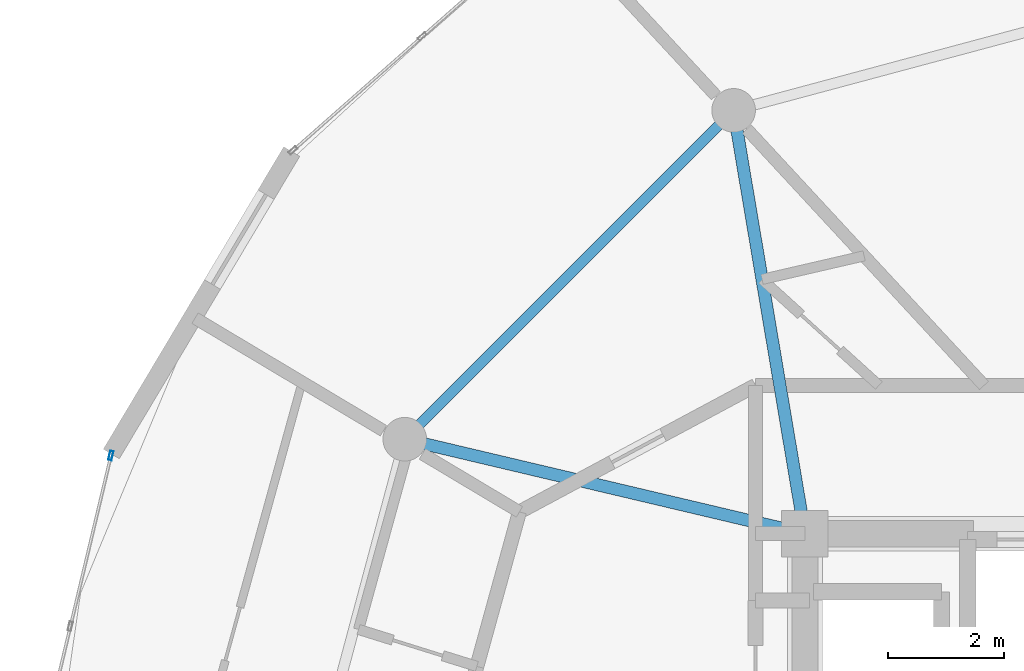
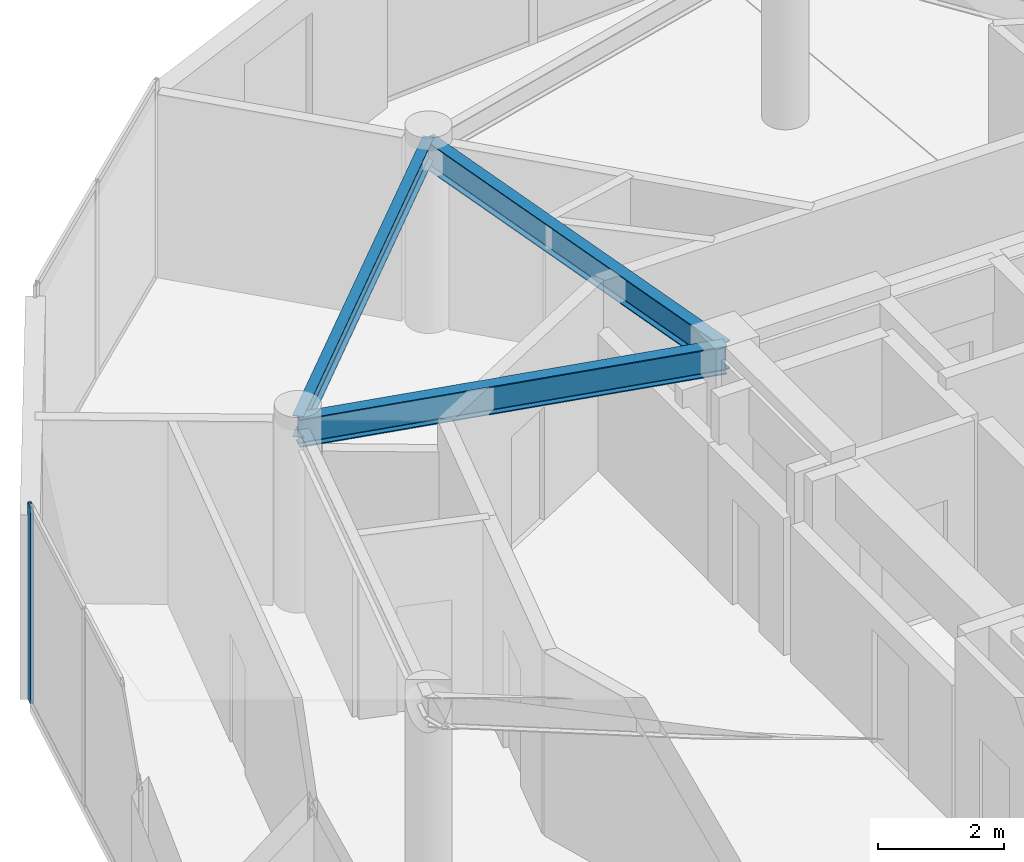
# One storey, part 9 of 22: 3 beams, 1 member, 1 element without a shape of its own.
"""IFC4 building model written with IfcOpenShell, lengths in metres."""

from ifc_helpers import new_model, si_unit, direction, frame, origin, origin_2d, place, context, subcontext, project, spatial, hollow_rectangle, i_section, extrude, source, transform, mapped, material, layer, layer_set, material_profile, profile_set, type_object, element, aggregate, save


model = new_model("IFC4")

# Units and contexts
model_context = context("Model", 3, precision=1e-05, world=origin(), true_north=direction((0.0, 1.0)))
body_context = subcontext(model_context, "Body", "Model", "MODEL_VIEW")
ifc_project = project(units=[si_unit("LENGTHUNIT", "METRE"), si_unit("AREAUNIT", "SQUARE_METRE"), si_unit("VOLUMEUNIT", "CUBIC_METRE"), si_unit("PLANEANGLEUNIT", "RADIAN"), si_unit("MASSUNIT", "GRAM", prefix="KILO")], contexts=[model_context])

# Site, building, storey
site_placement = place(None, origin())
site = spatial("IfcSite", under=ifc_project, at=site_placement, CompositionType="ELEMENT")
building_placement = place(site_placement, origin())
building = spatial("IfcBuilding", under=site, at=building_placement, Name="Solvirekh Grand Hotel", CompositionType="ELEMENT")
storey_placement = place(building_placement, frame((0.0, 0.0, 293.39990234375)))
storey = spatial("IfcBuildingStorey", under=building, at=storey_placement, Name="L76", CompositionType="ELEMENT", Elevation=293.39990234375)

# Beams
ifc_material_1 = material(Name="Steel S355", Category="steel")
ifc_material_profile_1 = material_profile(ifc_material_1, i_section(OverallWidth=0.2119140625, OverallDepth=0.5439453125, WebThickness=0.011962890625, FlangeThickness=0.01904296875, FilletRadius=0.013916015625, at=origin_2d()), Name="W530X123")
ifc_profile_set_1 = profile_set([ifc_material_profile_1], Name="Steel S355")
beam_type_1 = type_object("IfcBeamType", Name="Beam_Radial_W530H", PredefinedType="BEAM", material=ifc_profile_set_1)
beam_1_placement = place(storey_placement, frame((-6.5, 6.10009765625, 3.298095703125), z_axis=(-0.165954049106, 0.986133486697, 0.0), x_axis=(-0.986133486697, -0.165954049106, 0.0)))
element("IfcBeam", 1, at=beam_1_placement, inside=storey, type_object=beam_type_1, Name="L76 radial floor beam R05", PredefinedType="BEAM", context=body_context, shape_type="SweptSolid", body=[
    extrude(i_section(OverallWidth=0.2119140625, OverallDepth=0.5439453125, WebThickness=0.011962890625, FlangeThickness=0.01904296875, FilletRadius=0.013916015625, at=origin_2d()), origin(), (0.0, 0.0, 1.0), 7.382080078125),
])
beam_2_placement = place(storey_placement, frame((-6.5, 6.10009765625, 3.298095703125), z_axis=(-0.973221147544, 0.229870828888, 0.0), x_axis=(-0.229870828888, -0.973221147544, 0.0)))
element("IfcBeam", 2, at=beam_2_placement, inside=storey, type_object=beam_type_1, Name="L76 radial floor beam R06", PredefinedType="BEAM", context=body_context, shape_type="SweptSolid", body=[
    extrude(i_section(OverallWidth=0.2119140625, OverallDepth=0.5439453125, WebThickness=0.011962890625, FlangeThickness=0.01904296875, FilletRadius=0.013916015625, at=origin_2d()), origin(), (0.0, 0.0, 1.0), 7.069091796875),
])
ifc_material_profile_2 = material_profile(ifc_material_1, i_section(OverallWidth=0.180908203125, OverallDepth=0.4169921875, WebThickness=0.010009765625, FlangeThickness=0.01611328125, FilletRadius=0.011962890625, at=origin_2d()), Name="W410X85")
ifc_profile_set_2 = profile_set([ifc_material_profile_2], Name="Steel S355")
beam_type_2 = type_object("IfcBeamType", Name="Spandrel_Ring_W410", PredefinedType="SPANDREL", material=ifc_profile_set_2)
beam_3_placement = place(storey_placement, frame((-7.72509765625, 13.3798828125, 3.362060546875), z_axis=(-0.707106781187, -0.707106781187, 0.0), x_axis=(0.707106781187, -0.707106781187, 0.0)))
element("IfcBeam", 3, at=beam_3_placement, inside=storey, type_object=beam_type_2, Name="L76 perimeter spandrel beam 5", PredefinedType="SPANDREL", context=body_context, shape_type="SweptSolid", body=[
    extrude(i_section(OverallWidth=0.180908203125, OverallDepth=0.4169921875, WebThickness=0.010009765625, FlangeThickness=0.01611328125, FilletRadius=0.011962890625, at=origin_2d()), origin(), (0.0, 0.0, 1.0), 7.9970703125),
])

# Curtain wall, member
ifc_material_2 = material(Name="Anodized Bronze Aluminium 6063-T6", Category="aluminium")
ifc_layer = layer(ifc_material_2, 0.159912109375)
ifc_layer_set = layer_set([ifc_layer], Name="Anodized Bronze Aluminium 6063-T6")
curtain_wall_type = type_object("IfcCurtainWallType", Name="CW_Sys4_HighZoneFlushBronzeCW", PredefinedType="NOTDEFINED", material=ifc_layer_set)
curtain_wall_placement = place(storey_placement, origin())
curtain_wall = element("IfcCurtainWall", 4, at=curtain_wall_placement, inside=storey, type_object=curtain_wall_type, Name="L76 unitised bronze-glass curtain wall CW-L76-C15", PredefinedType="NOTDEFINED")
ifc_material_profile_3 = material_profile(ifc_material_2, hollow_rectangle(XDim=0.06005859375, YDim=0.159912109375, WallThickness=0.0048828125, at=origin_2d()), Name="ALU RHS 160X60X5")
ifc_profile_set_3 = profile_set([ifc_material_profile_3], Name="Anodized Bronze Aluminium 6063-T6")
member_type = type_object("IfcMemberType", Name="CWMullion_Sys4", PredefinedType="MULLION", material=ifc_profile_set_3)
shared_shape = source(origin(), body_context, "Body", "SweptSolid", [
    extrude(hollow_rectangle(XDim=0.06005859375, YDim=0.159912109375, WallThickness=0.0048828125, at=origin_2d()), origin(), (0.0, 0.0, 1.0), 3.800048828125),
])
member_placement = place(storey_placement, frame((-18.432861328125, 7.44384765625, 0.0), z_axis=(0.0, 0.0, 1.0), x_axis=(0.972876581807, -0.2313247859, 0.0)))
member = element("IfcMember", 5, at=member_placement, type_object=member_type, Name="U04 mullion 1", PredefinedType="MULLION", context=body_context, shape_type="MappedRepresentation", body=[
    mapped(shared_shape, transform((0.0, 0.0, 0.0), x_axis=(1.0, 0.0, 0.0), y_axis=(0.0, 1.0, 0.0), z_axis=(0.0, 0.0, 1.0), scale=1.0)),
])
aggregate(curtain_wall, [member])

save(model, "model.ifc")
